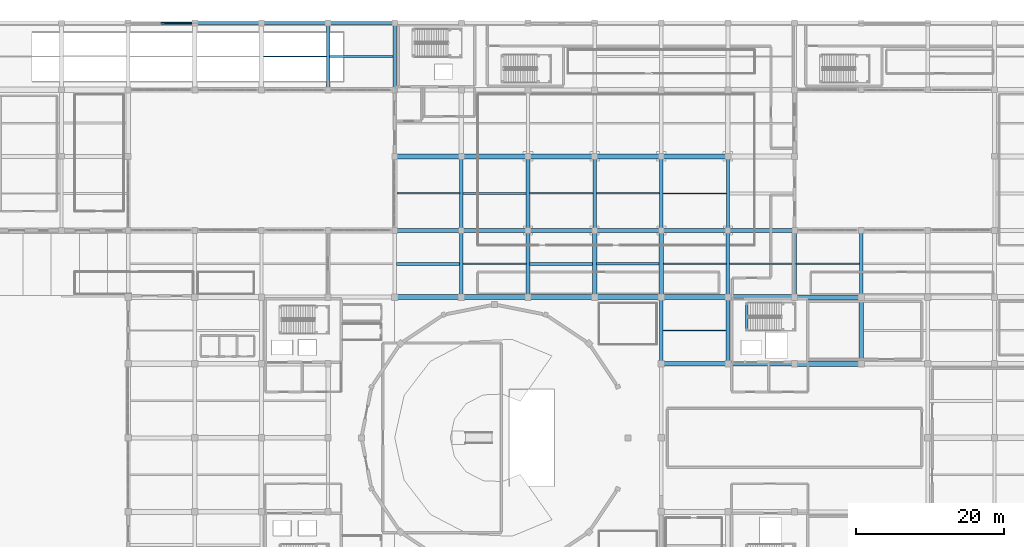
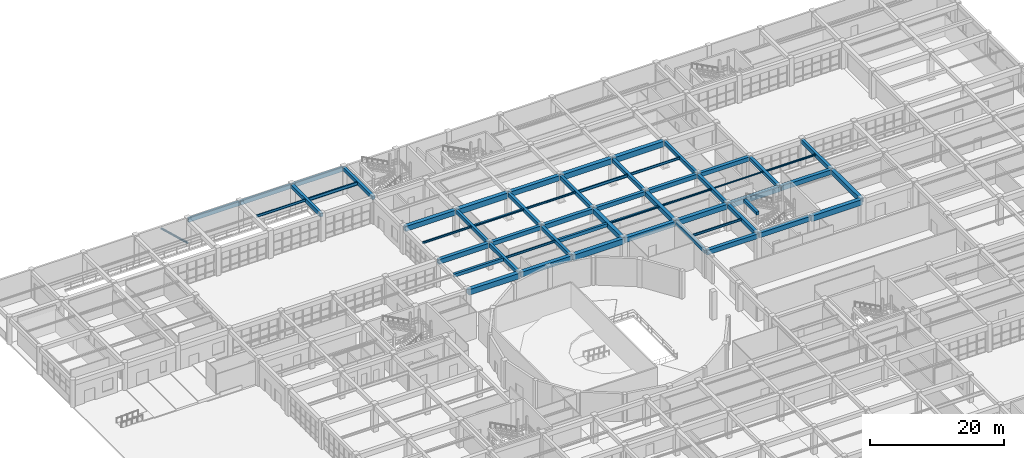
# One storey, part 67 of 128: 57 beams, 1 member.
"""IFC4 building model written with IfcOpenShell, lengths in metres."""

from ifc_helpers import new_model, si_unit, direction, frame, origin, origin_2d, place, context, subcontext, project, spatial, rectangle, hollow_circle, i_section, extrude, material, material_profile, profile_set, type_object, element, save


model = new_model("IFC4")

# Units and contexts
model_context = context("Model", 3, precision=1e-05, world=origin(), true_north=direction((0.0, 1.0)))
body_context = subcontext(model_context, "Body", "Model", "MODEL_VIEW")
ifc_project = project(units=[si_unit("LENGTHUNIT", "METRE"), si_unit("AREAUNIT", "SQUARE_METRE"), si_unit("VOLUMEUNIT", "CUBIC_METRE"), si_unit("PLANEANGLEUNIT", "RADIAN"), si_unit("MASSUNIT", "GRAM", prefix="KILO")], contexts=[model_context])

# Site, building, storey
site_placement = place(None, origin())
site = spatial("IfcSite", under=ifc_project, at=site_placement, CompositionType="ELEMENT")
building_placement = place(site_placement, origin())
building = spatial("IfcBuilding", under=site, at=building_placement, Name="Miravela Opera House", CompositionType="ELEMENT")
storey_placement = place(building_placement, origin())
storey = spatial("IfcBuildingStorey", under=building, at=storey_placement, Name="L00", CompositionType="ELEMENT", Elevation=0.0)

# Beams
ifc_material_1 = material(Name="Concrete C35/45", Category="concrete")
ifc_material_profile_1 = material_profile(ifc_material_1, rectangle(XDim=0.39990234375, YDim=0.60009765625, at=origin_2d()), Name="RC-BM-400X600")
ifc_profile_set_1 = profile_set([ifc_material_profile_1])
beam_type_1 = type_object("IfcBeamType", Name="STR-BM-RC400X600", PredefinedType="JOIST", material=ifc_profile_set_1)
beam_1_placement = place(storey_placement, frame((63.2099609375, 79.5, 4.550048828125), z_axis=(1.0, 0.0, 0.0), x_axis=(0.0, 1.0, 0.0)))
element("IfcBeam", 1, at=beam_1_placement, inside=storey, type_object=beam_type_1, Name="Secondary Floor Joist L00 8-9/I-J", PredefinedType="JOIST", context=body_context, shape_type="SweptSolid", body=[
    extrude(rectangle(XDim=0.39990234375, YDim=0.60009765625, at=origin_2d()), origin(), (0.0, 0.0, 1.0), 8.56494140625),
])
beam_2_placement = place(storey_placement, frame((81.235107421875, 79.5, 4.550048828125), z_axis=(1.0, 0.0, 0.0), x_axis=(0.0, 1.0, 0.0)))
element("IfcBeam", 2, at=beam_2_placement, inside=storey, type_object=beam_type_1, Name="Secondary Floor Joist L00 10-11/I-J", PredefinedType="JOIST", context=body_context, shape_type="SweptSolid", body=[
    extrude(rectangle(XDim=0.39990234375, YDim=0.60009765625, at=origin_2d()), origin(), (0.0, 0.0, 1.0), 8.47998046875),
])
beam_3_placement = place(storey_placement, frame((110.5400390625, 70.39990234375, 4.800048828125), z_axis=(0.0, 1.0, 0.0), x_axis=(-1.0, 0.0, 0.0)))
element("IfcBeam", 3, at=beam_3_placement, inside=storey, type_object=beam_type_1, Name="Stair K3 Opening Header Trimmer Beam 01", PredefinedType="JOIST", context=body_context, shape_type="SweptSolid", body=[
    extrude(rectangle(XDim=0.39990234375, YDim=0.60009765625, at=origin_2d()), origin(), (0.0, 0.0, 1.0), 3.880126953125),
])
ifc_material_profile_2 = material_profile(ifc_material_1, rectangle(XDim=0.449951171875, YDim=0.64990234375, at=origin_2d()), Name="RC-BM-450X650")
ifc_profile_set_2 = profile_set([ifc_material_profile_2])
beam_type_2 = type_object("IfcBeamType", Name="STR-BM-RC450X650", PredefinedType="BEAM", material=ifc_profile_set_2)
beam_4_placement = place(storey_placement, frame((72.0, 84.080078125, 4.52490234375), z_axis=(0.0, 1.0, 0.0), x_axis=(-1.0, 0.0, 0.0)))
element("IfcBeam", 4, at=beam_4_placement, inside=storey, type_object=beam_type_2, Name="Floor Girder L00 9/J-K", PredefinedType="BEAM", context=body_context, shape_type="SweptSolid", body=[
    extrude(rectangle(XDim=0.449951171875, YDim=0.64990234375, at=origin_2d()), origin(), (0.0, 0.0, 1.0), 9.83984375),
])
beam_5_placement = place(storey_placement, frame((99.0, 66.080078125, 4.52490234375), z_axis=(0.0, 1.0, 0.0), x_axis=(-1.0, 0.0, 0.0)))
element("IfcBeam", 5, at=beam_5_placement, inside=storey, type_object=beam_type_2, Name="Floor Girder L00 12/H-I", PredefinedType="BEAM", context=body_context, shape_type="SweptSolid", body=[
    extrude(rectangle(XDim=0.449951171875, YDim=0.64990234375, at=origin_2d()), origin(), (0.0, 0.0, 1.0), 8.83984375),
])
beam_6_placement = place(storey_placement, frame((108.0, 84.080078125, 4.52490234375), z_axis=(0.0, 1.0, 0.0), x_axis=(-1.0, 0.0, 0.0)))
element("IfcBeam", 6, at=beam_6_placement, inside=storey, type_object=beam_type_2, Name="Floor Girder L00 13/J-K", PredefinedType="BEAM", context=body_context, shape_type="SweptSolid", body=[
    extrude(rectangle(XDim=0.449951171875, YDim=0.64990234375, at=origin_2d()), origin(), (0.0, 0.0, 1.0), 9.83984375),
])
ifc_material_profile_3 = material_profile(ifc_material_1, rectangle(XDim=0.47998046875, YDim=0.679931640625, at=origin_2d()), Name="RC-BM-480X680")
ifc_profile_set_3 = profile_set([ifc_material_profile_3])
beam_type_3 = type_object("IfcBeamType", Name="STR-BM-RC480X680", PredefinedType="BEAM", material=ifc_profile_set_3)
for number, where, z_axis, x_axis, name in (
    (7, (54.0, 103.080078125, 4.510009765625), (0.0, 1.0, 0.0), (-1.0, 0.0, 0.0), "Floor Girder L00 7/L-M"),
    (8, (63.0, 103.080078125, 4.510009765625), (0.0, 1.0, 0.0), (-1.0, 0.0, 0.0), "Floor Girder L00 8/L-M"),
    (9, (72.0, 75.080078125, 4.510009765625), (0.0, 1.0, 0.0), (-1.0, 0.0, 0.0), "Floor Girder L00 9/I-J"),
):
    element("IfcBeam", number, at=place(storey_placement, frame(where, z_axis=z_axis, x_axis=x_axis)), inside=storey, type_object=beam_type_3, Name=name, PredefinedType="BEAM", context=body_context, shape_type="SweptSolid", body=[
        extrude(rectangle(XDim=0.47998046875, YDim=0.679931640625, at=origin_2d()), origin(), (0.0, 0.0, 1.0), 8.83984375),
    ])
beam_7_placement = place(storey_placement, frame((81.0, 84.080078125, 4.510009765625), z_axis=(0.0, 1.0, 0.0), x_axis=(-1.0, 0.0, 0.0)))
element("IfcBeam", 10, at=beam_7_placement, inside=storey, type_object=beam_type_3, Name="Floor Girder L00 10/J-K", PredefinedType="BEAM", context=body_context, shape_type="SweptSolid", body=[
    extrude(rectangle(XDim=0.47998046875, YDim=0.679931640625, at=origin_2d()), origin(), (0.0, 0.0, 1.0), 9.83984375),
])
for number, where, z_axis, x_axis, name in (
    (11, (108.0, 75.080078125, 4.510009765625), (0.0, 1.0, 0.0), (-1.0, 0.0, 0.0), "Floor Girder L00 13/I-J"),
    (12, (117.0, 75.080078125, 4.510009765625), (0.0, 1.0, 0.0), (-1.0, 0.0, 0.0), "Floor Girder L00 14/I-J"),
):
    element("IfcBeam", number, at=place(storey_placement, frame(where, z_axis=z_axis, x_axis=x_axis)), inside=storey, type_object=beam_type_3, Name=name, PredefinedType="BEAM", context=body_context, shape_type="SweptSolid", body=[
        extrude(rectangle(XDim=0.47998046875, YDim=0.679931640625, at=origin_2d()), origin(), (0.0, 0.0, 1.0), 8.83984375),
    ])
ifc_material_profile_4 = material_profile(ifc_material_1, rectangle(XDim=0.5, YDim=0.699951171875, at=origin_2d()), Name="RC-BM-500X700")
ifc_profile_set_4 = profile_set([ifc_material_profile_4])
beam_type_4 = type_object("IfcBeamType", Name="STR-BM-RC500X700", PredefinedType="BEAM", material=ifc_profile_set_4)
beam_8_placement = place(storey_placement, frame((81.0, 75.080078125, 4.5), z_axis=(0.0, 1.0, 0.0), x_axis=(-1.0, 0.0, 0.0)))
element("IfcBeam", 13, at=beam_8_placement, inside=storey, type_object=beam_type_4, Name="Floor Girder L00 10/I-J", PredefinedType="BEAM", context=body_context, shape_type="SweptSolid", body=[
    extrude(rectangle(XDim=0.5, YDim=0.699951171875, at=origin_2d()), origin(), (0.0, 0.0, 1.0), 8.83984375),
])
for number, where, z_axis, x_axis, name in (
    (14, (90.0, 84.080078125, 4.5), (0.0, 1.0, 0.0), (-1.0, 0.0, 0.0), "Floor Girder L00 11/J-K"),
    (15, (99.0, 84.080078125, 4.5), (0.0, 1.0, 0.0), (-1.0, 0.0, 0.0), "Floor Girder L00 12/J-K"),
):
    element("IfcBeam", number, at=place(storey_placement, frame(where, z_axis=z_axis, x_axis=x_axis)), inside=storey, type_object=beam_type_4, Name=name, PredefinedType="BEAM", context=body_context, shape_type="SweptSolid", body=[
        extrude(rectangle(XDim=0.5, YDim=0.699951171875, at=origin_2d()), origin(), (0.0, 0.0, 1.0), 9.83984375),
    ])
for number, where, z_axis, x_axis, name in (
    (16, (108.0, 66.080078125, 4.5), (0.0, 1.0, 0.0), (-1.0, 0.0, 0.0), "Floor Girder L00 13/H-I"),
    (17, (126.0, 75.080078125, 4.5), (0.0, 1.0, 0.0), (-1.0, 0.0, 0.0), "Floor Girder L00 15/I-J"),
):
    element("IfcBeam", number, at=place(storey_placement, frame(where, z_axis=z_axis, x_axis=x_axis)), inside=storey, type_object=beam_type_4, Name=name, PredefinedType="BEAM", context=body_context, shape_type="SweptSolid", body=[
        extrude(rectangle(XDim=0.5, YDim=0.699951171875, at=origin_2d()), origin(), (0.0, 0.0, 1.0), 8.83984375),
    ])
ifc_material_profile_5 = material_profile(ifc_material_1, rectangle(XDim=0.550048828125, YDim=0.75, at=origin_2d()), Name="RC-BM-550X750")
ifc_profile_set_5 = profile_set([ifc_material_profile_5])
beam_type_5 = type_object("IfcBeamType", Name="STR-BM-RC550X750", PredefinedType="BEAM", material=ifc_profile_set_5)
for number, where, z_axis, x_axis, name in (
    (18, (72.080078125, 84.0, 4.47509765625), (1.0, 0.0, 0.0), (0.0, 1.0, 0.0), "Floor Girder L00 9-10/J"),
    (19, (90.080078125, 84.0, 4.47509765625), (1.0, 0.0, 0.0), (0.0, 1.0, 0.0), "Floor Girder L00 11-12/J"),
    (20, (99.080078125, 84.0, 4.47509765625), (1.0, 0.0, 0.0), (0.0, 1.0, 0.0), "Floor Girder L00 12-13/J"),
    (21, (108.080078125, 84.0, 4.47509765625), (1.0, 0.0, 0.0), (0.0, 1.0, 0.0), "Floor Girder L00 13-14/J"),
):
    element("IfcBeam", number, at=place(storey_placement, frame(where, z_axis=z_axis, x_axis=x_axis)), inside=storey, type_object=beam_type_5, Name=name, PredefinedType="BEAM", context=body_context, shape_type="SweptSolid", body=[
        extrude(rectangle(XDim=0.550048828125, YDim=0.75, at=origin_2d()), origin(), (0.0, 0.0, 1.0), 8.83984375),
    ])
ifc_material_2 = material(Name="Concrete C40/50", Category="concrete")
ifc_material_profile_6 = material_profile(ifc_material_2, rectangle(XDim=0.60009765625, YDim=0.85009765625, at=origin_2d()), Name="RC-BM-600X850")
ifc_profile_set_6 = profile_set([ifc_material_profile_6])
beam_type_6 = type_object("IfcBeamType", Name="STR-BM-RC600X850", PredefinedType="BEAM", material=ifc_profile_set_6)
for number, where, z_axis, x_axis, name in (
    (22, (63.080078125, 84.0, 4.425048828125), (1.0, 0.0, 0.0), (0.0, 1.0, 0.0), "Floor Girder L00 8-9/J"),
    (23, (81.080078125, 84.0, 4.425048828125), (1.0, 0.0, 0.0), (0.0, 1.0, 0.0), "Floor Girder L00 10-11/J"),
    (24, (99.080078125, 66.0, 4.425048828125), (1.0, 0.0, 0.0), (0.0, 1.0, 0.0), "Floor Girder L00 12-13/H"),
    (25, (108.080078125, 66.0, 4.425048828125), (1.0, 0.0, 0.0), (0.0, 1.0, 0.0), "Floor Girder L00 13-14/H"),
    (26, (117.080078125, 75.0, 4.425048828125), (1.0, 0.0, 0.0), (0.0, 1.0, 0.0), "Floor Girder L00 14-15/I"),
    (27, (90.0, 75.080078125, 4.425048828125), (0.0, 1.0, 0.0), (-1.0, 0.0, 0.0), "Floor Girder L00 11/I-J"),
    (28, (99.0, 75.080078125, 4.425048828125), (0.0, 1.0, 0.0), (-1.0, 0.0, 0.0), "Floor Girder L00 12/I-J"),
    (29, (126.0, 66.080078125, 4.425048828125), (0.0, 1.0, 0.0), (-1.0, 0.0, 0.0), "Floor Girder L00 15/H-I"),
):
    element("IfcBeam", number, at=place(storey_placement, frame(where, z_axis=z_axis, x_axis=x_axis)), inside=storey, type_object=beam_type_6, Name=name, PredefinedType="BEAM", context=body_context, shape_type="SweptSolid", body=[
        extrude(rectangle(XDim=0.60009765625, YDim=0.85009765625, at=origin_2d()), origin(), (0.0, 0.0, 1.0), 8.83984375),
    ])
ifc_material_profile_7 = material_profile(ifc_material_2, rectangle(XDim=0.64990234375, YDim=0.89990234375, at=origin_2d()), Name="RC-BM-650X900")
ifc_profile_set_7 = profile_set([ifc_material_profile_7])
beam_type_7 = type_object("IfcBeamType", Name="STR-BM-RC650X900", PredefinedType="BEAM", material=ifc_profile_set_7)
for number, where, z_axis, x_axis, name in (
    (30, (63.080078125, 94.0, 4.39990234375), (1.0, 0.0, 0.0), (0.0, 1.0, 0.0), "Floor Girder L00 8-9/K"),
    (31, (72.080078125, 75.0, 4.39990234375), (1.0, 0.0, 0.0), (0.0, 1.0, 0.0), "Floor Girder L00 9-10/I"),
    (32, (81.080078125, 94.0, 4.39990234375), (1.0, 0.0, 0.0), (0.0, 1.0, 0.0), "Floor Girder L00 10-11/K"),
    (33, (90.080078125, 75.0, 4.39990234375), (1.0, 0.0, 0.0), (0.0, 1.0, 0.0), "Floor Girder L00 11-12/I"),
    (34, (99.080078125, 75.0, 4.39990234375), (1.0, 0.0, 0.0), (0.0, 1.0, 0.0), "Floor Girder L00 12-13/I"),
    (35, (108.080078125, 75.0, 4.39990234375), (1.0, 0.0, 0.0), (0.0, 1.0, 0.0), "Floor Girder L00 13-14/I"),
):
    element("IfcBeam", number, at=place(storey_placement, frame(where, z_axis=z_axis, x_axis=x_axis)), inside=storey, type_object=beam_type_7, Name=name, PredefinedType="BEAM", context=body_context, shape_type="SweptSolid", body=[
        extrude(rectangle(XDim=0.64990234375, YDim=0.89990234375, at=origin_2d()), origin(), (0.0, 0.0, 1.0), 8.83984375),
    ])
ifc_material_profile_8 = material_profile(ifc_material_2, rectangle(XDim=0.699951171875, YDim=1.0, at=origin_2d()), Name="RC-BM-700X1000")
ifc_profile_set_8 = profile_set([ifc_material_profile_8])
beam_type_8 = type_object("IfcBeamType", Name="STR-BM-RC700X1000", PredefinedType="BEAM", material=ifc_profile_set_8)
for number, where, z_axis, x_axis, name in (
    (36, (63.080078125, 75.0, 4.35009765625), (1.0, 0.0, 0.0), (0.0, 1.0, 0.0), "Floor Girder L00 8-9/I"),
    (37, (72.080078125, 94.0, 4.35009765625), (1.0, 0.0, 0.0), (0.0, 1.0, 0.0), "Floor Girder L00 9-10/K"),
    (38, (81.080078125, 75.0, 4.35009765625), (1.0, 0.0, 0.0), (0.0, 1.0, 0.0), "Floor Girder L00 10-11/I"),
    (39, (90.080078125, 94.0, 4.35009765625), (1.0, 0.0, 0.0), (0.0, 1.0, 0.0), "Floor Girder L00 11-12/K"),
    (40, (99.080078125, 94.0, 4.35009765625), (1.0, 0.0, 0.0), (0.0, 1.0, 0.0), "Floor Girder L00 12-13/K"),
    (41, (117.080078125, 66.0, 4.35009765625), (1.0, 0.0, 0.0), (0.0, 1.0, 0.0), "Floor Girder L00 14-15/H"),
):
    element("IfcBeam", number, at=place(storey_placement, frame(where, z_axis=z_axis, x_axis=x_axis)), inside=storey, type_object=beam_type_8, Name=name, PredefinedType="BEAM", context=body_context, shape_type="SweptSolid", body=[
        extrude(rectangle(XDim=0.699951171875, YDim=1.0, at=origin_2d()), origin(), (0.0, 0.0, 1.0), 8.83984375),
    ])
ifc_material_3 = material(Name="Structural steel ASTM A992 Gr. 50", Category="steel")
ifc_material_profile_9 = material_profile(ifc_material_3, i_section(OverallWidth=0.1650390625, OverallDepth=0.200927734375, WebThickness=0.006103515625, FlangeThickness=0.01025390625, FilletRadius=0.010009765625, at=origin_2d()), Name="W200X36")
ifc_profile_set_9 = profile_set([ifc_material_profile_9])
beam_type_9 = type_object("IfcBeamType", Name="STR-BM-W200X36", PredefinedType="LINTEL", material=ifc_profile_set_9)
beam_9_placement = place(storey_placement, frame((108.22509765625, 79.5, 4.74951171875), z_axis=(1.0, 0.0, 0.0), x_axis=(0.0, 1.0, 0.0)))
element("IfcBeam", 42, at=beam_9_placement, inside=storey, type_object=beam_type_9, Name="Secondary Floor Joist L00 13-14/I-J", PredefinedType="LINTEL", context=body_context, shape_type="SweptSolid", body=[
    extrude(i_section(OverallWidth=0.1650390625, OverallDepth=0.200927734375, WebThickness=0.006103515625, FlangeThickness=0.01025390625, FilletRadius=0.010009765625, at=origin_2d()), origin(), (0.0, 0.0, 1.0), 8.5498046875),
])
ifc_material_profile_10 = material_profile(ifc_material_3, i_section(OverallWidth=0.202880859375, OverallDepth=0.302978515625, WebThickness=0.007568359375, FlangeThickness=0.01318359375, FilletRadius=0.012939453125, at=origin_2d()), Name="W310X60")
ifc_profile_set_10 = profile_set([ifc_material_profile_10])
beam_type_10 = type_object("IfcBeamType", Name="STR-BM-W310X60", PredefinedType="JOIST", material=ifc_profile_set_10)
beam_10_placement = place(storey_placement, frame((99.284912109375, 79.5, 4.698486328125), z_axis=(1.0, 0.0, 0.0), x_axis=(0.0, 1.0, 0.0)))
element("IfcBeam", 43, at=beam_10_placement, inside=storey, type_object=beam_type_10, Name="Secondary Floor Joist L00 12-13/I-J", PredefinedType="JOIST", context=body_context, shape_type="SweptSolid", body=[
    extrude(i_section(OverallWidth=0.202880859375, OverallDepth=0.302978515625, WebThickness=0.007568359375, FlangeThickness=0.01318359375, FilletRadius=0.012939453125, at=origin_2d()), origin(), (0.0, 0.0, 1.0), 8.489990234375),
])
beam_11_placement = place(storey_placement, frame((117.22509765625, 79.5, 4.698486328125), z_axis=(1.0, 0.0, 0.0), x_axis=(0.0, 1.0, 0.0)))
element("IfcBeam", 44, at=beam_11_placement, inside=storey, type_object=beam_type_10, Name="Secondary Floor Joist L00 14-15/I-J", PredefinedType="JOIST", context=body_context, shape_type="SweptSolid", body=[
    extrude(i_section(OverallWidth=0.202880859375, OverallDepth=0.302978515625, WebThickness=0.007568359375, FlangeThickness=0.01318359375, FilletRadius=0.012939453125, at=origin_2d()), origin(), (0.0, 0.0, 1.0), 8.539794921875),
])
ifc_material_profile_11 = material_profile(ifc_material_3, i_section(OverallWidth=0.304931640625, OverallDepth=0.30810546875, WebThickness=0.010009765625, FlangeThickness=0.015380859375, FilletRadius=0.013916015625, at=origin_2d()), Name="W310X97")
ifc_profile_set_11 = profile_set([ifc_material_profile_11])
beam_type_11 = type_object("IfcBeamType", Name="STR-BM-W310X97", PredefinedType="JOIST", material=ifc_profile_set_11)
beam_12_placement = place(storey_placement, frame((72.2099609375, 89.0, 4.696044921875), z_axis=(1.0, 0.0, 0.0), x_axis=(0.0, 1.0, 0.0)))
element("IfcBeam", 45, at=beam_12_placement, inside=storey, type_object=beam_type_11, Name="Secondary Floor Joist L00 9-10/J-K", PredefinedType="JOIST", context=body_context, shape_type="SweptSolid", body=[
    extrude(i_section(OverallWidth=0.304931640625, OverallDepth=0.30810546875, WebThickness=0.010009765625, FlangeThickness=0.015380859375, FilletRadius=0.013916015625, at=origin_2d()), origin(), (0.0, 0.0, 1.0), 8.56494140625),
])
beam_13_placement = place(storey_placement, frame((90.284912109375, 79.5, 4.696044921875), z_axis=(1.0, 0.0, 0.0), x_axis=(0.0, 1.0, 0.0)))
element("IfcBeam", 46, at=beam_13_placement, inside=storey, type_object=beam_type_11, Name="Secondary Floor Joist L00 11-12/I-J", PredefinedType="JOIST", context=body_context, shape_type="SweptSolid", body=[
    extrude(i_section(OverallWidth=0.304931640625, OverallDepth=0.30810546875, WebThickness=0.010009765625, FlangeThickness=0.015380859375, FilletRadius=0.013916015625, at=origin_2d()), origin(), (0.0, 0.0, 1.0), 8.43017578125),
])
ifc_material_profile_12 = material_profile(ifc_material_3, i_section(OverallWidth=0.2041015625, OverallDepth=0.35009765625, WebThickness=0.008544921875, FlangeThickness=0.01513671875, FilletRadius=0.013916015625, at=origin_2d()), Name="W360X72")
ifc_profile_set_12 = profile_set([ifc_material_profile_12])
beam_type_12 = type_object("IfcBeamType", Name="STR-BM-W360X72", PredefinedType="JOIST", material=ifc_profile_set_12)
beam_14_placement = place(storey_placement, frame((63.284912109375, 89.0, 4.675048828125), z_axis=(1.0, 0.0, 0.0), x_axis=(0.0, 1.0, 0.0)))
element("IfcBeam", 47, at=beam_14_placement, inside=storey, type_object=beam_type_12, Name="Secondary Floor Joist L00 8-9/J-K", PredefinedType="JOIST", context=body_context, shape_type="SweptSolid", body=[
    extrude(i_section(OverallWidth=0.2041015625, OverallDepth=0.35009765625, WebThickness=0.008544921875, FlangeThickness=0.01513671875, FilletRadius=0.013916015625, at=origin_2d()), origin(), (0.0, 0.0, 1.0), 8.505126953125),
])
beam_15_placement = place(storey_placement, frame((81.22509765625, 89.0, 4.675048828125), z_axis=(1.0, 0.0, 0.0), x_axis=(0.0, 1.0, 0.0)))
element("IfcBeam", 48, at=beam_15_placement, inside=storey, type_object=beam_type_12, Name="Secondary Floor Joist L00 10-11/J-K", PredefinedType="JOIST", context=body_context, shape_type="SweptSolid", body=[
    extrude(i_section(OverallWidth=0.2041015625, OverallDepth=0.35009765625, WebThickness=0.008544921875, FlangeThickness=0.01513671875, FilletRadius=0.013916015625, at=origin_2d()), origin(), (0.0, 0.0, 1.0), 8.539794921875),
])
ifc_material_profile_13 = material_profile(ifc_material_3, i_section(OverallWidth=0.177978515625, OverallDepth=0.406982421875, WebThickness=0.0078125, FlangeThickness=0.0126953125, FilletRadius=0.012939453125, at=origin_2d()), Name="W410X60")
ifc_profile_set_13 = profile_set([ifc_material_profile_13])
beam_type_13 = type_object("IfcBeamType", Name="STR-BM-W410X60", PredefinedType="JOIST", material=ifc_profile_set_13)
beam_16_placement = place(storey_placement, frame((72.22509765625, 79.5, 4.646484375), z_axis=(1.0, 0.0, 0.0), x_axis=(0.0, 1.0, 0.0)))
element("IfcBeam", 49, at=beam_16_placement, inside=storey, type_object=beam_type_13, Name="Secondary Floor Joist L00 9-10/I-J", PredefinedType="JOIST", context=body_context, shape_type="SweptSolid", body=[
    extrude(i_section(OverallWidth=0.177978515625, OverallDepth=0.406982421875, WebThickness=0.0078125, FlangeThickness=0.0126953125, FilletRadius=0.012939453125, at=origin_2d()), origin(), (0.0, 0.0, 1.0), 8.539794921875),
])
ifc_material_profile_14 = material_profile(ifc_material_3, i_section(OverallWidth=0.180908203125, OverallDepth=0.4169921875, WebThickness=0.010986328125, FlangeThickness=0.018310546875, FilletRadius=0.013916015625, at=origin_2d()), Name="W410X85")
ifc_profile_set_14 = profile_set([ifc_material_profile_14])
beam_type_14 = type_object("IfcBeamType", Name="STR-BM-W410X85", PredefinedType="JOIST", material=ifc_profile_set_14)
beam_17_placement = place(storey_placement, frame((99.2099609375, 70.5, 4.6416015625), z_axis=(1.0, 0.0, 0.0), x_axis=(0.0, 1.0, 0.0)))
element("IfcBeam", 50, at=beam_17_placement, inside=storey, type_object=beam_type_14, Name="Secondary Floor Joist L00 12-13/H-I", PredefinedType="JOIST", context=body_context, shape_type="SweptSolid", body=[
    extrude(i_section(OverallWidth=0.180908203125, OverallDepth=0.4169921875, WebThickness=0.010986328125, FlangeThickness=0.018310546875, FilletRadius=0.013916015625, at=origin_2d()), origin(), (0.0, 0.0, 1.0), 8.554931640625),
])
ifc_material_profile_15 = material_profile(ifc_material_3, i_section(OverallWidth=0.154052734375, OverallDepth=0.458984375, WebThickness=0.009033203125, FlangeThickness=0.015380859375, FilletRadius=0.013916015625, at=origin_2d()), Name="W460X68")
ifc_profile_set_15 = profile_set([ifc_material_profile_15])
beam_type_15 = type_object("IfcBeamType", Name="STR-BM-W460X68", PredefinedType="JOIST", material=ifc_profile_set_15)
beam_18_placement = place(storey_placement, frame((45.284912109375, 107.5, 4.62060546875), z_axis=(1.0, 0.0, 0.0), x_axis=(0.0, 1.0, 0.0)))
element("IfcBeam", 51, at=beam_18_placement, inside=storey, type_object=beam_type_15, Name="Secondary Floor Joist L00 6-7/L-M", PredefinedType="JOIST", context=body_context, shape_type="SweptSolid", body=[
    extrude(i_section(OverallWidth=0.154052734375, OverallDepth=0.458984375, WebThickness=0.009033203125, FlangeThickness=0.015380859375, FilletRadius=0.013916015625, at=origin_2d()), origin(), (0.0, 0.0, 1.0), 8.489990234375),
])
beam_19_placement = place(storey_placement, frame((99.235107421875, 89.0, 4.62060546875), z_axis=(1.0, 0.0, 0.0), x_axis=(0.0, 1.0, 0.0)))
element("IfcBeam", 52, at=beam_19_placement, inside=storey, type_object=beam_type_15, Name="Secondary Floor Joist L00 12-13/J-K", PredefinedType="JOIST", context=body_context, shape_type="SweptSolid", body=[
    extrude(i_section(OverallWidth=0.154052734375, OverallDepth=0.458984375, WebThickness=0.009033203125, FlangeThickness=0.015380859375, FilletRadius=0.013916015625, at=origin_2d()), origin(), (0.0, 0.0, 1.0), 8.554931640625),
])
ifc_material_profile_16 = material_profile(ifc_material_3, i_section(OverallWidth=0.208984375, OverallDepth=0.532958984375, WebThickness=0.01025390625, FlangeThickness=0.015625, FilletRadius=0.014892578125, at=origin_2d()), Name="W530X92")
ifc_profile_set_16 = profile_set([ifc_material_profile_16])
beam_type_16 = type_object("IfcBeamType", Name="STR-BM-W530X92", PredefinedType="BEAM", material=ifc_profile_set_16)
beam_20_placement = place(storey_placement, frame((90.235107421875, 89.0, 4.58349609375), z_axis=(1.0, 0.0, 0.0), x_axis=(0.0, 1.0, 0.0)))
element("IfcBeam", 53, at=beam_20_placement, inside=storey, type_object=beam_type_16, Name="Secondary Floor Joist L00 11-12/J-K", PredefinedType="BEAM", context=body_context, shape_type="SweptSolid", body=[
    extrude(i_section(OverallWidth=0.208984375, OverallDepth=0.532958984375, WebThickness=0.01025390625, FlangeThickness=0.015625, FilletRadius=0.014892578125, at=origin_2d()), origin(), (0.0, 0.0, 1.0), 8.52978515625),
])
ifc_material_profile_17 = material_profile(ifc_material_3, i_section(OverallWidth=0.22802734375, OverallDepth=0.60791015625, WebThickness=0.01123046875, FlangeThickness=0.017333984375, FilletRadius=0.01611328125, at=origin_2d()), Name="W610X113")
ifc_profile_set_17 = profile_set([ifc_material_profile_17])
beam_type_17 = type_object("IfcBeamType", Name="STR-BM-W610X113", PredefinedType="BEAM", material=ifc_profile_set_17)
beam_21_placement = place(storey_placement, frame((54.22509765625, 107.5, 4.5458984375), z_axis=(1.0, 0.0, 0.0), x_axis=(0.0, 1.0, 0.0)))
element("IfcBeam", 54, at=beam_21_placement, inside=storey, type_object=beam_type_17, Name="Secondary Floor Joist L00 7-8/L-M", PredefinedType="BEAM", context=body_context, shape_type="SweptSolid", body=[
    extrude(i_section(OverallWidth=0.22802734375, OverallDepth=0.60791015625, WebThickness=0.01123046875, FlangeThickness=0.017333984375, FilletRadius=0.01611328125, at=origin_2d()), origin(), (0.0, 0.0, 1.0), 8.5498046875),
])

# Member
ifc_material_4 = material(Name="Hollow structural steel ASTM A500 Gr. C", Category="steel")
ifc_material_profile_18 = material_profile(ifc_material_4, hollow_circle(Radius=0.177734375, WallThickness=0.011962890625, at=origin_2d()), Name="CHS356X12")
ifc_profile_set_18 = profile_set([ifc_material_profile_18])
member_type = type_object("IfcMemberType", Name="STR-MEM-BRACE-CHS356", PredefinedType="BRACE", material=ifc_profile_set_18)
member_placement = place(storey_placement, frame((36.0, 112.0, 0.300048828125), z_axis=(-0.73105922506, 0.0, 0.682314010889), x_axis=(0.0, -1.0, 0.0)))
element("IfcMember", 55, at=member_placement, inside=storey, type_object=member_type, Name="Concentric Braced Frame BF-N1 L00 Right Brace", PredefinedType="BRACE", context=body_context, shape_type="SweptSolid", body=[
    extrude(hollow_circle(Radius=0.177734375, WallThickness=0.011962890625, at=origin_2d()), origin(), (0.0, 0.0, 1.0), 6.155517578125),
])

# Beams
ifc_material_profile_19 = material_profile(ifc_material_1, rectangle(XDim=0.39990234375, YDim=0.75, at=origin_2d()), Name="RC-SPN-400X750")
ifc_profile_set_19 = profile_set([ifc_material_profile_19])
beam_type_18 = type_object("IfcBeamType", Name="STR-SPN-RC400X750", PredefinedType="SPANDREL", material=ifc_profile_set_19)
for number, where, z_axis, x_axis, name in (
    (56, (36.080078125, 112.0, 4.47509765625), (1.0, 0.0, 0.0), (0.0, 1.0, 0.0), "Floor Girder L00 5-6/M"),
    (57, (45.080078125, 112.0, 4.47509765625), (1.0, 0.0, 0.0), (0.0, 1.0, 0.0), "Floor Girder L00 6-7/M"),
    (58, (54.080078125, 112.0, 4.47509765625), (1.0, 0.0, 0.0), (0.0, 1.0, 0.0), "Floor Girder L00 7-8/M"),
):
    element("IfcBeam", number, at=place(storey_placement, frame(where, z_axis=z_axis, x_axis=x_axis)), inside=storey, type_object=beam_type_18, Name=name, PredefinedType="SPANDREL", context=body_context, shape_type="SweptSolid", body=[
        extrude(rectangle(XDim=0.39990234375, YDim=0.75, at=origin_2d()), origin(), (0.0, 0.0, 1.0), 8.83984375),
    ])

save(model, "model.ifc")
